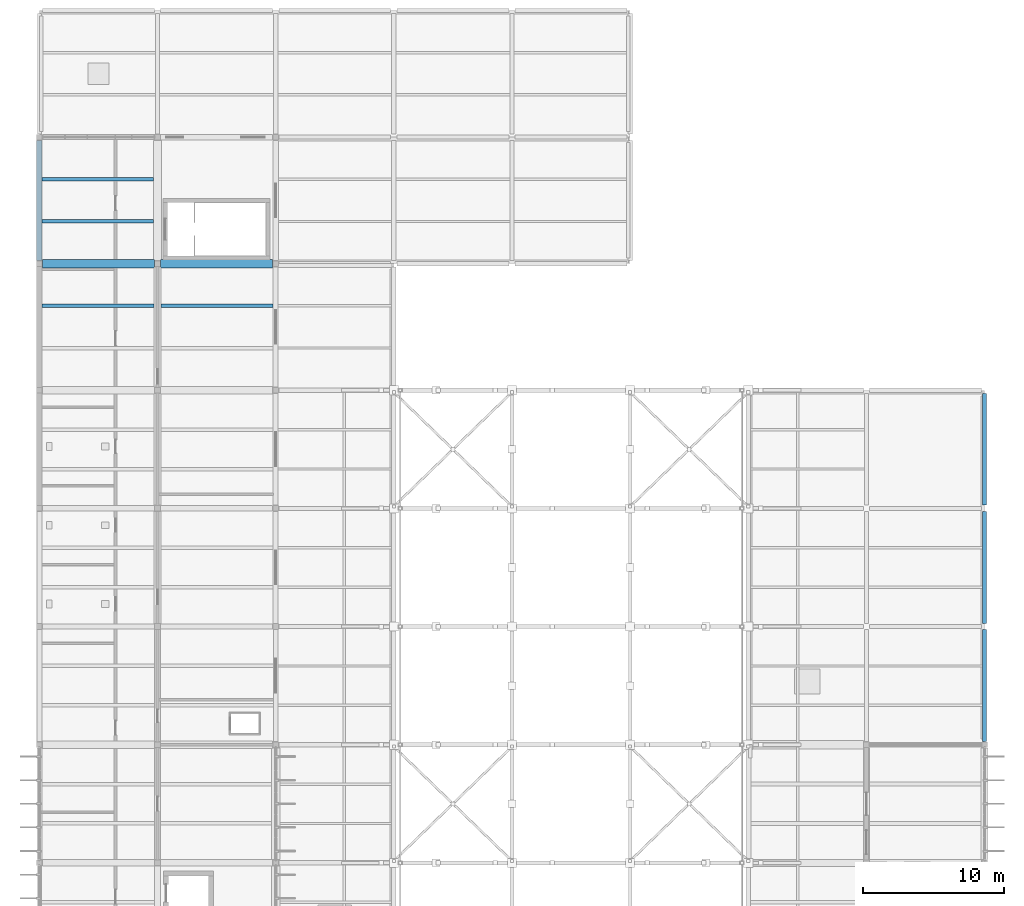
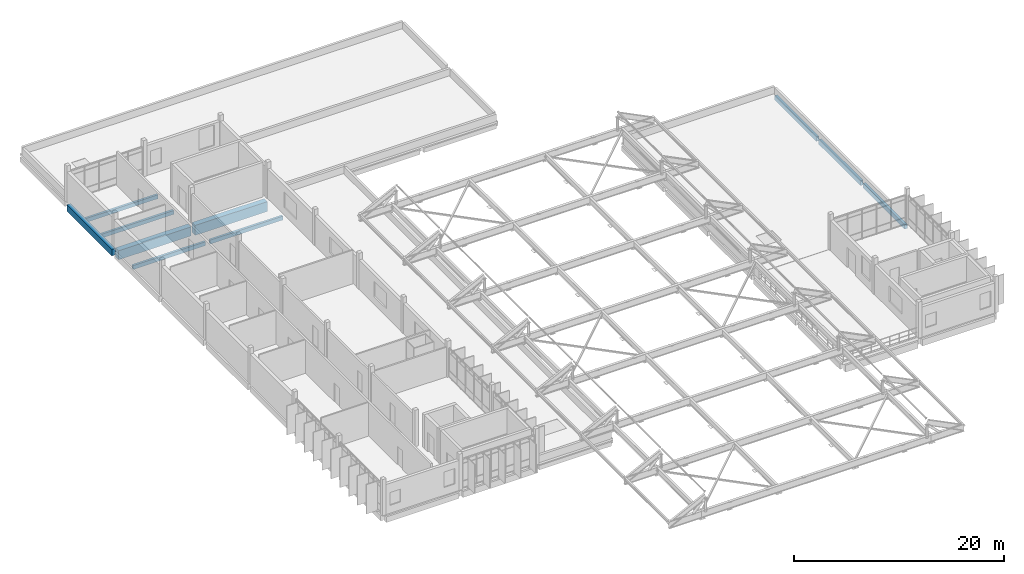
# One storey, part 23 of 41: 10 beams.
"""IFC4 building model written with IfcOpenShell, lengths in metres."""

from ifc_helpers import new_model, si_unit, direction, frame, origin, origin_2d, place, context, subcontext, project, spatial, rectangle, extrude, material, material_profile, profile_set, type_object, element, save


model = new_model("IFC4")

# Units and contexts
model_context = context("Model", 3, precision=1e-05, world=origin(), true_north=direction((0.0, 1.0)))
body_context = subcontext(model_context, "Body", "Model", "MODEL_VIEW")
ifc_project = project(units=[si_unit("LENGTHUNIT", "METRE"), si_unit("AREAUNIT", "SQUARE_METRE"), si_unit("VOLUMEUNIT", "CUBIC_METRE"), si_unit("PLANEANGLEUNIT", "RADIAN"), si_unit("MASSUNIT", "GRAM", prefix="KILO")], contexts=[model_context])

# Site, building, storey
site_placement = place(None, origin())
site = spatial("IfcSite", under=ifc_project, at=site_placement, CompositionType="ELEMENT")
building_placement = place(site_placement, origin())
building = spatial("IfcBuilding", under=site, at=building_placement, Name="Vireocrest Preparatory School", CompositionType="ELEMENT")
storey_placement = place(building_placement, frame((0.0, 0.0, 21.60009765625)))
storey = spatial("IfcBuildingStorey", under=building, at=storey_placement, Name="L05", CompositionType="ELEMENT", Elevation=21.60009765625)

# Beams
ifc_material = material(Name="Concrete 40 MPa", Category="concrete")
ifc_material_profile_1 = material_profile(ifc_material, rectangle(XDim=0.39990234375, YDim=0.75, at=origin_2d()), Name="RC 400x750")
ifc_profile_set_1 = profile_set([ifc_material_profile_1], Name="Concrete 40 MPa")
beam_type_1 = type_object("IfcBeamType", Name="RC Commons Girder 400x750", PredefinedType="BEAM", material=ifc_profile_set_1)
beam_1_placement = place(storey_placement, frame((42.0, 95.02490234375, -0.635009765625), z_axis=(0.0, 1.0, 0.0), x_axis=(-1.0, 0.0, 0.0)))
element("IfcBeam", 1, at=beam_1_placement, inside=storey, type_object=beam_type_1, Name="Primary Girder B09 L05-1568", PredefinedType="BEAM", context=body_context, shape_type="SweptSolid", body=[
    extrude(rectangle(XDim=0.39990234375, YDim=0.75, at=origin_2d()), origin(), (0.0, 0.0, 1.0), 8.550048828125),
])
ifc_material_profile_2 = material_profile(ifc_material, rectangle(XDim=0.60009765625, YDim=1.14990234375, at=origin_2d()), Name="RC 600x1150")
ifc_profile_set_2 = profile_set([ifc_material_profile_2], Name="Concrete 40 MPa")
beam_type_2 = type_object("IfcBeamType", Name="RC Heavy Transfer Girder 600x1150", PredefinedType="BEAM", material=ifc_profile_set_2)
beam_2_placement = place(storey_placement, frame((50.625, 94.800048828125, -0.835205078125), z_axis=(1.0, 0.0, 0.0), x_axis=(0.0, 1.0, 0.0)))
element("IfcBeam", 2, at=beam_2_placement, inside=storey, type_object=beam_type_2, Name="Primary Girder B20 L05-1548", PredefinedType="BEAM", context=body_context, shape_type="SweptSolid", body=[
    extrude(rectangle(XDim=0.60009765625, YDim=1.14990234375, at=origin_2d()), origin(), (0.0, 0.0, 1.0), 7.949951171875),
])
ifc_material_profile_3 = material_profile(ifc_material, rectangle(XDim=0.300048828125, YDim=0.5, at=origin_2d()), Name="RC 300x500")
ifc_profile_set_3 = profile_set([ifc_material_profile_3], Name="Concrete 40 MPa")
beam_type_3 = type_object("IfcBeamType", Name="RC Roof Edge Beam 300x500", PredefinedType="BEAM", material=ifc_profile_set_3)
for number, where, z_axis, x_axis, name in (
    (3, (109.199951171875, 60.824951171875, -0.47021484375), (0.0, 1.0, 0.0), (-1.0, 0.0, 0.0), "Primary Girder B01 L05-1610"),
    (4, (109.199951171875, 77.625, -0.47021484375), (0.0, 1.0, 0.0), (-1.0, 0.0, 0.0), "Primary Girder B01 L05-1612"),
):
    element("IfcBeam", number, at=place(storey_placement, frame(where, z_axis=z_axis, x_axis=x_axis)), inside=storey, type_object=beam_type_3, Name=name, PredefinedType="BEAM", context=body_context, shape_type="SweptSolid", body=[
        extrude(rectangle(XDim=0.300048828125, YDim=0.5, at=origin_2d()), origin(), (0.0, 0.0, 1.0), 7.949951171875),
    ])
ifc_material_profile_4 = material_profile(ifc_material, rectangle(XDim=0.300048828125, YDim=0.550048828125, at=origin_2d()), Name="RC 300x550")
ifc_profile_set_4 = profile_set([ifc_material_profile_4], Name="Concrete 40 MPa")
beam_type_4 = type_object("IfcBeamType", Name="RC Roof Girder 300x550", PredefinedType="BEAM", material=ifc_profile_set_4)
beam_3_placement = place(storey_placement, frame((109.199951171875, 69.22509765625, -0.4951171875), z_axis=(0.0, 1.0, 0.0), x_axis=(-1.0, 0.0, 0.0)))
element("IfcBeam", 5, at=beam_3_placement, inside=storey, type_object=beam_type_4, Name="Primary Girder B02 L05-1611", PredefinedType="BEAM", context=body_context, shape_type="SweptSolid", body=[
    extrude(rectangle(XDim=0.300048828125, YDim=0.550048828125, at=origin_2d()), origin(), (0.0, 0.0, 1.0), 7.949951171875),
])
ifc_material_profile_5 = material_profile(ifc_material, rectangle(XDim=0.25, YDim=0.449951171875, at=origin_2d()), Name="RC 250x450")
ifc_profile_set_5 = profile_set([ifc_material_profile_5], Name="Concrete 40 MPa")
beam_type_5 = type_object("IfcBeamType", Name="RC Secondary Floor Joist 250x450", PredefinedType="JOIST", material=ifc_profile_set_5)
beam_4_placement = place(storey_placement, frame((42.199951171875, 91.800048828125, -0.485107421875), z_axis=(1.0, 0.0, 0.0), x_axis=(0.0, 1.0, 0.0)))
element("IfcBeam", 6, at=beam_4_placement, inside=storey, type_object=beam_type_5, Name="Secondary Joist J01 L05-1624", PredefinedType="JOIST", context=body_context, shape_type="SweptSolid", body=[
    extrude(rectangle(XDim=0.25, YDim=0.449951171875, at=origin_2d()), origin(), (0.0, 0.0, 1.0), 7.949951171875),
])
for number, where, z_axis, x_axis, name in (
    (7, (42.199951171875, 97.800048828125, -0.485107421875), (1.0, 0.0, 0.0), (0.0, 1.0, 0.0), "Secondary Joist J01 L05-1625"),
    (8, (42.199951171875, 100.800048828125, -0.485107421875), (1.0, 0.0, 0.0), (0.0, 1.0, 0.0), "Secondary Joist J01 L05-1626"),
):
    element("IfcBeam", number, at=place(storey_placement, frame(where, z_axis=z_axis, x_axis=x_axis)), inside=storey, type_object=beam_type_5, Name=name, PredefinedType="JOIST", context=body_context, shape_type="SweptSolid", body=[
        extrude(rectangle(XDim=0.25, YDim=0.449951171875, at=origin_2d()), origin(), (0.0, 0.0, 1.0), 7.925048828125),
    ])
beam_5_placement = place(storey_placement, frame((50.64990234375, 91.800048828125, -0.485107421875), z_axis=(1.0, 0.0, 0.0), x_axis=(0.0, 1.0, 0.0)))
element("IfcBeam", 9, at=beam_5_placement, inside=storey, type_object=beam_type_5, Name="Secondary Joist J01 L05-1638", PredefinedType="JOIST", context=body_context, shape_type="SweptSolid", body=[
    extrude(rectangle(XDim=0.25, YDim=0.449951171875, at=origin_2d()), origin(), (0.0, 0.0, 1.0), 7.97509765625),
])
ifc_material_profile_6 = material_profile(ifc_material, rectangle(XDim=0.60009765625, YDim=1.050048828125, at=origin_2d()), Name="RC 600x1050")
ifc_profile_set_6 = profile_set([ifc_material_profile_6], Name="Concrete 40 MPa")
beam_type_6 = type_object("IfcBeamType", Name="RC Transfer Girder 600x1050", PredefinedType="BEAM", material=ifc_profile_set_6)
beam_6_placement = place(storey_placement, frame((42.22509765625, 94.800048828125, -0.78515625), z_axis=(1.0, 0.0, 0.0), x_axis=(0.0, 1.0, 0.0)))
element("IfcBeam", 10, at=beam_6_placement, inside=storey, type_object=beam_type_6, Name="Primary Girder B19 L05-1547", PredefinedType="BEAM", context=body_context, shape_type="SweptSolid", body=[
    extrude(rectangle(XDim=0.60009765625, YDim=1.050048828125, at=origin_2d()), origin(), (0.0, 0.0, 1.0), 7.949951171875),
])

save(model, "model.ifc")
